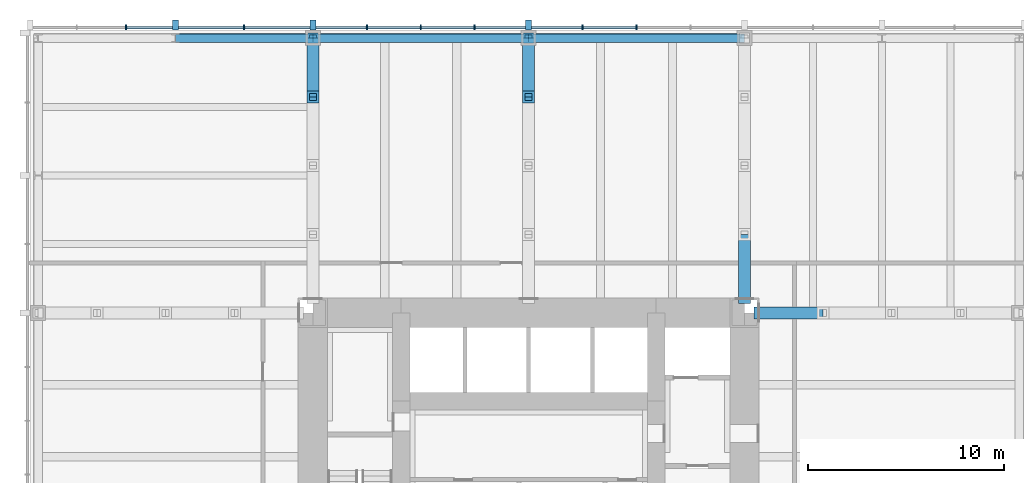
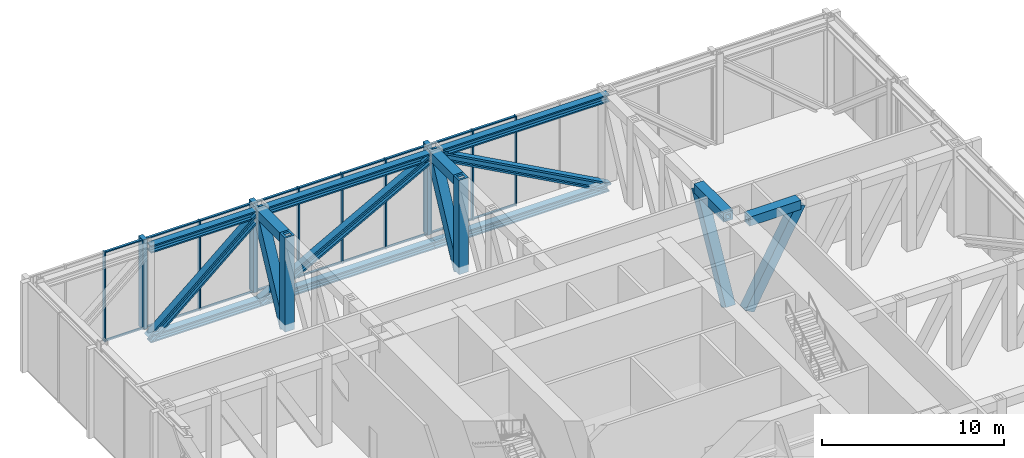
# One storey, part 8 of 13: 37 members, 10 beams, 1 element without a shape of its own.
"""IFC4 building model written with IfcOpenShell, lengths in metres."""

from ifc_helpers import new_model, si_unit, direction, frame, origin, origin_2d, place, context, subcontext, project, spatial, rectangle, hollow_rectangle, i_section, extrude, material, material_profile, profile_set, type_object, element, aggregate, save


model = new_model("IFC4")

# Units and contexts
model_context = context("Model", 3, precision=1e-05, world=origin(), true_north=direction((0.0, 1.0)))
body_context = subcontext(model_context, "Body", "Model", "MODEL_VIEW")
ifc_project = project(units=[si_unit("LENGTHUNIT", "METRE"), si_unit("AREAUNIT", "SQUARE_METRE"), si_unit("VOLUMEUNIT", "CUBIC_METRE"), si_unit("PLANEANGLEUNIT", "RADIAN"), si_unit("MASSUNIT", "GRAM", prefix="KILO")], contexts=[model_context])

# Site, building, storey
site_placement = place(None, origin())
site = spatial("IfcSite", under=ifc_project, at=site_placement, CompositionType="ELEMENT")
building_placement = place(site_placement, origin())
building = spatial("IfcBuilding", under=site, at=building_placement, Name="Trevanion Tower", CompositionType="ELEMENT")
storey_placement = place(building_placement, frame((0.0, 0.0, 89.800048828125)))
storey = spatial("IfcBuildingStorey", under=building, at=storey_placement, Name="L21", CompositionType="ELEMENT", Elevation=89.800048828125)

# Beams
ifc_material_1 = material(Name="Steel ASTM A992 Grade 50", Category="steel")
ifc_material_profile_1 = material_profile(ifc_material_1, i_section(OverallWidth=0.431884765625, OverallDepth=0.497802734375, WebThickness=0.0556640625, FlangeThickness=0.0888671875, at=origin_2d()), Name="W14X500")
ifc_profile_set_1 = profile_set([ifc_material_profile_1], Name="Steel ASTM A992 Grade 50")
beam_type_1 = type_object("IfcBeamType", Name="BT1-CH W14X500", PredefinedType="BEAM", material=ifc_profile_set_1)
for number, where, z_axis, x_axis, name in (
    (1, (11.0, 25.0, -0.494873046875), (-1.0, 0.0, 0.0), (0.0, -1.0, 0.0), "BT1 belt truss chord"),
    (2, (11.0, 25.0, 5.505126953125), (-1.0, 0.0, 0.0), (0.0, -1.0, 0.0), "BT1 belt truss chord"),
    (3, (0.0, 25.0, -0.494873046875), (-1.0, 0.0, 0.0), (0.0, -1.0, 0.0), "BT1 belt truss chord"),
    (4, (0.0, 25.0, 5.505126953125), (-1.0, 0.0, 0.0), (0.0, -1.0, 0.0), "BT1 belt truss chord"),
):
    element("IfcBeam", number, at=place(storey_placement, frame(where, z_axis=z_axis, x_axis=x_axis)), inside=storey, type_object=beam_type_1, Name=name, PredefinedType="BEAM", context=body_context, shape_type="SweptSolid", body=[
        extrude(i_section(OverallWidth=0.431884765625, OverallDepth=0.497802734375, WebThickness=0.0556640625, FlangeThickness=0.0888671875, at=origin_2d()), origin(), (0.0, 0.0, 1.0), 11.0),
    ])
for number, where, z_axis, x_axis, name in (
    (5, (-11.0, 25.0, -0.494873046875), (-1.0, 0.0, 0.0), (0.0, -1.0, 0.0), "BT1 belt truss chord"),
    (6, (-11.0, 25.0, 5.505126953125), (-1.0, 0.0, 0.0), (0.0, -1.0, 0.0), "BT1 belt truss chord"),
):
    element("IfcBeam", number, at=place(storey_placement, frame(where, z_axis=z_axis, x_axis=x_axis)), inside=storey, type_object=beam_type_1, Name=name, PredefinedType="BEAM", context=body_context, shape_type="SweptSolid", body=[
        extrude(i_section(OverallWidth=0.431884765625, OverallDepth=0.497802734375, WebThickness=0.0556640625, FlangeThickness=0.0888671875, at=origin_2d()), origin(), (0.0, 0.0, 1.0), 7.0),
    ])

# Members
ifc_material_2 = material(Name="Steel ASTM A992 Grade 50", Category="steel")
ifc_material_profile_2 = material_profile(ifc_material_2, i_section(OverallWidth=0.449462890625, OverallDepth=0.548583984375, WebThickness=0.07177734375, FlangeThickness=0.11474609375, at=origin_2d()), Name="W14X665")
ifc_profile_set_2 = profile_set([ifc_material_profile_2], Name="Steel ASTM A992 Grade 50")
member_type_1 = type_object("IfcMemberType", Name="BT1-D W14X665", PredefinedType="BRACE", material=ifc_profile_set_2)
for number, where, z_axis, x_axis, name in (
    (7, (11.0, 25.0, -0.494873046875), (-0.877895572914, 0.0, 0.478852130681), (0.0, -1.0, 0.0), "BT1 belt truss diagonal"),
    (8, (-11.0, 25.0, -0.494873046875), (0.877895572914, 0.0, 0.478852130681), (0.0, 1.0, 0.0), "BT1 belt truss diagonal"),
):
    element("IfcMember", number, at=place(storey_placement, frame(where, z_axis=z_axis, x_axis=x_axis)), inside=storey, type_object=member_type_1, Name=name, PredefinedType="BRACE", context=body_context, shape_type="SweptSolid", body=[
        extrude(i_section(OverallWidth=0.449462890625, OverallDepth=0.548583984375, WebThickness=0.07177734375, FlangeThickness=0.11474609375, at=origin_2d()), origin(), (0.0, 0.0, 1.0), 12.530029296875),
    ])
member_1_placement = place(storey_placement, frame((-18.0, 25.0, -0.494873046875), z_axis=(0.759256602365, 0.0, 0.650791373456), x_axis=(0.0, 1.0, 0.0)))
element("IfcMember", 9, at=member_1_placement, inside=storey, type_object=member_type_1, Name="BT1 belt truss diagonal", PredefinedType="BRACE", context=body_context, shape_type="SweptSolid", body=[
    extrude(i_section(OverallWidth=0.449462890625, OverallDepth=0.548583984375, WebThickness=0.07177734375, FlangeThickness=0.11474609375, at=origin_2d()), origin(), (0.0, 0.0, 1.0), 9.219482421875),
])

# Curtain wall, members
ifc_material_3 = material(Name="Aluminium louvres", Category="aluminium")
curtain_wall_type = type_object("IfcCurtainWallType", Name="CWL curtain wall", PredefinedType="USERDEFINED", material=ifc_material_3)
curtain_wall_placement = place(storey_placement, origin())
curtain_wall = element("IfcCurtainWall", 10, at=curtain_wall_placement, inside=storey, type_object=curtain_wall_type, Name="CWL L21 1", ObjectType="LOUVRE SCREEN", PredefinedType="USERDEFINED")
ifc_material_4 = material(Name="Aluminium extrusion, anodised bronze", Category="aluminium")
ifc_material_profile_3 = material_profile(ifc_material_4, rectangle(XDim=0.074951171875, YDim=0.25, at=origin_2d()), Name="CWL mullion")
ifc_profile_set_3 = profile_set([ifc_material_profile_3], Name="Aluminium extrusion, anodised bronze")
member_type_2 = type_object("IfcMemberType", Name="CWL mullion", PredefinedType="MULLION", material=ifc_profile_set_3)
member_2_placement = place(storey_placement, frame((5.5, 25.550048828125, -0.18994140625), z_axis=(0.0, 0.0, 1.0), x_axis=(-1.0, 0.0, 0.0)))
member_2 = element("IfcMember", 11, at=member_2_placement, type_object=member_type_2, Name="CWL mullion 7", PredefinedType="MULLION", context=body_context, shape_type="SweptSolid", body=[
    extrude(rectangle(XDim=0.074951171875, YDim=0.25, at=origin_2d()), origin(), (0.0, 0.0, 1.0), 6.0),
])
member_3_placement = place(storey_placement, frame((2.75, 25.550048828125, -0.18994140625), z_axis=(0.0, 0.0, 1.0), x_axis=(-1.0, 0.0, 0.0)))
member_3 = element("IfcMember", 12, at=member_3_placement, type_object=member_type_2, Name="CWL mullion 8", PredefinedType="MULLION", context=body_context, shape_type="SweptSolid", body=[
    extrude(rectangle(XDim=0.074951171875, YDim=0.25, at=origin_2d()), origin(), (0.0, 0.0, 1.0), 6.0),
])
member_4_placement = place(storey_placement, frame((-2.75, 25.550048828125, -0.18994140625), z_axis=(0.0, 0.0, 1.0), x_axis=(-1.0, 0.0, 0.0)))
member_4 = element("IfcMember", 13, at=member_4_placement, type_object=member_type_2, Name="CWL mullion 10", PredefinedType="MULLION", context=body_context, shape_type="SweptSolid", body=[
    extrude(rectangle(XDim=0.074951171875, YDim=0.25, at=origin_2d()), origin(), (0.0, 0.0, 1.0), 6.0),
])
member_5_placement = place(storey_placement, frame((-5.5, 25.550048828125, -0.18994140625), z_axis=(0.0, 0.0, 1.0), x_axis=(-1.0, 0.0, 0.0)))
member_5 = element("IfcMember", 14, at=member_5_placement, type_object=member_type_2, Name="CWL mullion 11", PredefinedType="MULLION", context=body_context, shape_type="SweptSolid", body=[
    extrude(rectangle(XDim=0.074951171875, YDim=0.25, at=origin_2d()), origin(), (0.0, 0.0, 1.0), 6.0),
])
member_6_placement = place(storey_placement, frame((-8.25, 25.550048828125, -0.18994140625), z_axis=(0.0, 0.0, 1.0), x_axis=(-1.0, 0.0, 0.0)))
member_6 = element("IfcMember", 15, at=member_6_placement, type_object=member_type_2, Name="CWL mullion 12", PredefinedType="MULLION", context=body_context, shape_type="SweptSolid", body=[
    extrude(rectangle(XDim=0.074951171875, YDim=0.25, at=origin_2d()), origin(), (0.0, 0.0, 1.0), 6.0),
])
member_7_placement = place(storey_placement, frame((-14.5, 25.550048828125, -0.18994140625), z_axis=(0.0, 0.0, 1.0), x_axis=(-1.0, 0.0, 0.0)))
member_7 = element("IfcMember", 16, at=member_7_placement, type_object=member_type_2, Name="CWL mullion 14", PredefinedType="MULLION", context=body_context, shape_type="SweptSolid", body=[
    extrude(rectangle(XDim=0.074951171875, YDim=0.25, at=origin_2d()), origin(), (0.0, 0.0, 1.0), 6.0),
])
member_8_placement = place(storey_placement, frame((-20.5166015625, 25.550048828125, -0.18994140625), z_axis=(0.0, 0.0, 1.0), x_axis=(-1.0, 0.0, 0.0)))
member_8 = element("IfcMember", 17, at=member_8_placement, type_object=member_type_2, Name="CWL mullion 16", PredefinedType="MULLION", context=body_context, shape_type="SweptSolid", body=[
    extrude(rectangle(XDim=0.074951171875, YDim=0.25, at=origin_2d()), origin(), (0.0, 0.0, 1.0), 6.0),
])
ifc_material_5 = material(Name="Aluminium extrusion, anodised bronze", Category="aluminium")
ifc_material_profile_4 = material_profile(ifc_material_5, rectangle(XDim=0.300048828125, YDim=0.5, at=origin_2d()), Name="CWL pier mullion")
ifc_profile_set_4 = profile_set([ifc_material_profile_4], Name="Aluminium extrusion, anodised bronze")
member_type_3 = type_object("IfcMemberType", Name="CWL pier mullion", PredefinedType="MULLION", material=ifc_profile_set_4)
member_9_placement = place(storey_placement, frame((0.0, 25.675048828125, -0.18994140625), z_axis=(0.0, 0.0, 1.0), x_axis=(-1.0, 0.0, 0.0)))
member_9 = element("IfcMember", 18, at=member_9_placement, type_object=member_type_3, Name="CWL pier mullion 9", PredefinedType="MULLION", context=body_context, shape_type="SweptSolid", body=[
    extrude(rectangle(XDim=0.300048828125, YDim=0.5, at=origin_2d()), origin(), (0.0, 0.0, 1.0), 6.0),
])
member_10_placement = place(storey_placement, frame((-11.0, 25.675048828125, -0.18994140625), z_axis=(0.0, 0.0, 1.0), x_axis=(-1.0, 0.0, 0.0)))
member_10 = element("IfcMember", 19, at=member_10_placement, type_object=member_type_3, Name="CWL pier mullion 13", PredefinedType="MULLION", context=body_context, shape_type="SweptSolid", body=[
    extrude(rectangle(XDim=0.300048828125, YDim=0.5, at=origin_2d()), origin(), (0.0, 0.0, 1.0), 6.0),
])
member_11_placement = place(storey_placement, frame((-18.0, 25.675048828125, -0.18994140625), z_axis=(0.0, 0.0, 1.0), x_axis=(-1.0, 0.0, 0.0)))
member_11 = element("IfcMember", 20, at=member_11_placement, type_object=member_type_3, Name="CWL pier mullion 15", PredefinedType="MULLION", context=body_context, shape_type="SweptSolid", body=[
    extrude(rectangle(XDim=0.300048828125, YDim=0.5, at=origin_2d()), origin(), (0.0, 0.0, 1.0), 6.0),
])
ifc_material_6 = material(Name="Aluminium extrusion, anodised bronze", Category="aluminium")
ifc_material_profile_5 = material_profile(ifc_material_6, rectangle(XDim=0.14990234375, YDim=0.074951171875, at=origin_2d()), Name="CWL transom")
ifc_profile_set_5 = profile_set([ifc_material_profile_5], Name="Aluminium extrusion, anodised bronze")
member_type_4 = type_object("IfcMemberType", Name="CWL transom", PredefinedType="USERDEFINED", material=ifc_profile_set_5)
member_12_placement = place(storey_placement, frame((5.46240234375, 25.550048828125, -0.152587890625), z_axis=(-1.0, 0.0, 0.0), x_axis=(0.0, -1.0, 0.0)))
member_12 = element("IfcMember", 21, at=member_12_placement, type_object=member_type_4, Name="CWL transom 7.1", ObjectType="TRANSOM", PredefinedType="USERDEFINED", context=body_context, shape_type="SweptSolid", body=[
    extrude(rectangle(XDim=0.14990234375, YDim=0.074951171875, at=origin_2d()), origin(), (0.0, 0.0, 1.0), 2.6748046875),
])
member_13_placement = place(storey_placement, frame((5.46240234375, 25.550048828125, 5.7724609375), z_axis=(-1.0, 0.0, 0.0), x_axis=(0.0, -1.0, 0.0)))
member_13 = element("IfcMember", 22, at=member_13_placement, type_object=member_type_4, Name="CWL transom 7.2", ObjectType="TRANSOM", PredefinedType="USERDEFINED", context=body_context, shape_type="SweptSolid", body=[
    extrude(rectangle(XDim=0.14990234375, YDim=0.074951171875, at=origin_2d()), origin(), (0.0, 0.0, 1.0), 2.6748046875),
])
member_14_placement = place(storey_placement, frame((2.71240234375, 25.550048828125, -0.152587890625), z_axis=(-1.0, 0.0, 0.0), x_axis=(0.0, -1.0, 0.0)))
member_14 = element("IfcMember", 23, at=member_14_placement, type_object=member_type_4, Name="CWL transom 8.1", ObjectType="TRANSOM", PredefinedType="USERDEFINED", context=body_context, shape_type="SweptSolid", body=[
    extrude(rectangle(XDim=0.14990234375, YDim=0.074951171875, at=origin_2d()), origin(), (0.0, 0.0, 1.0), 2.5625),
])
member_15_placement = place(storey_placement, frame((2.71240234375, 25.550048828125, 5.7724609375), z_axis=(-1.0, 0.0, 0.0), x_axis=(0.0, -1.0, 0.0)))
member_15 = element("IfcMember", 24, at=member_15_placement, type_object=member_type_4, Name="CWL transom 8.2", ObjectType="TRANSOM", PredefinedType="USERDEFINED", context=body_context, shape_type="SweptSolid", body=[
    extrude(rectangle(XDim=0.14990234375, YDim=0.074951171875, at=origin_2d()), origin(), (0.0, 0.0, 1.0), 2.5625),
])
member_16_placement = place(storey_placement, frame((-0.14990234375, 25.550048828125, -0.152587890625), z_axis=(-1.0, 0.0, 0.0), x_axis=(0.0, -1.0, 0.0)))
member_16 = element("IfcMember", 25, at=member_16_placement, type_object=member_type_4, Name="CWL transom 9.1", ObjectType="TRANSOM", PredefinedType="USERDEFINED", context=body_context, shape_type="SweptSolid", body=[
    extrude(rectangle(XDim=0.14990234375, YDim=0.074951171875, at=origin_2d()), origin(), (0.0, 0.0, 1.0), 2.5625),
])
member_17_placement = place(storey_placement, frame((-0.14990234375, 25.550048828125, 5.7724609375), z_axis=(-1.0, 0.0, 0.0), x_axis=(0.0, -1.0, 0.0)))
member_17 = element("IfcMember", 26, at=member_17_placement, type_object=member_type_4, Name="CWL transom 9.2", ObjectType="TRANSOM", PredefinedType="USERDEFINED", context=body_context, shape_type="SweptSolid", body=[
    extrude(rectangle(XDim=0.14990234375, YDim=0.074951171875, at=origin_2d()), origin(), (0.0, 0.0, 1.0), 2.5625),
])
member_18_placement = place(storey_placement, frame((-2.78759765625, 25.550048828125, -0.152587890625), z_axis=(-1.0, 0.0, 0.0), x_axis=(0.0, -1.0, 0.0)))
member_18 = element("IfcMember", 27, at=member_18_placement, type_object=member_type_4, Name="CWL transom 10.1", ObjectType="TRANSOM", PredefinedType="USERDEFINED", context=body_context, shape_type="SweptSolid", body=[
    extrude(rectangle(XDim=0.14990234375, YDim=0.074951171875, at=origin_2d()), origin(), (0.0, 0.0, 1.0), 2.6748046875),
])
member_19_placement = place(storey_placement, frame((-2.78759765625, 25.550048828125, 5.7724609375), z_axis=(-1.0, 0.0, 0.0), x_axis=(0.0, -1.0, 0.0)))
member_19 = element("IfcMember", 28, at=member_19_placement, type_object=member_type_4, Name="CWL transom 10.2", ObjectType="TRANSOM", PredefinedType="USERDEFINED", context=body_context, shape_type="SweptSolid", body=[
    extrude(rectangle(XDim=0.14990234375, YDim=0.074951171875, at=origin_2d()), origin(), (0.0, 0.0, 1.0), 2.6748046875),
])
member_20_placement = place(storey_placement, frame((-5.53759765625, 25.550048828125, -0.152587890625), z_axis=(-1.0, 0.0, 0.0), x_axis=(0.0, -1.0, 0.0)))
member_20 = element("IfcMember", 29, at=member_20_placement, type_object=member_type_4, Name="CWL transom 11.1", ObjectType="TRANSOM", PredefinedType="USERDEFINED", context=body_context, shape_type="SweptSolid", body=[
    extrude(rectangle(XDim=0.14990234375, YDim=0.074951171875, at=origin_2d()), origin(), (0.0, 0.0, 1.0), 2.6748046875),
])
member_21_placement = place(storey_placement, frame((-5.53759765625, 25.550048828125, 5.7724609375), z_axis=(-1.0, 0.0, 0.0), x_axis=(0.0, -1.0, 0.0)))
member_21 = element("IfcMember", 30, at=member_21_placement, type_object=member_type_4, Name="CWL transom 11.2", ObjectType="TRANSOM", PredefinedType="USERDEFINED", context=body_context, shape_type="SweptSolid", body=[
    extrude(rectangle(XDim=0.14990234375, YDim=0.074951171875, at=origin_2d()), origin(), (0.0, 0.0, 1.0), 2.6748046875),
])
member_22_placement = place(storey_placement, frame((-8.28759765625, 25.550048828125, -0.152587890625), z_axis=(-1.0, 0.0, 0.0), x_axis=(0.0, -1.0, 0.0)))
member_22 = element("IfcMember", 31, at=member_22_placement, type_object=member_type_4, Name="CWL transom 12.1", ObjectType="TRANSOM", PredefinedType="USERDEFINED", context=body_context, shape_type="SweptSolid", body=[
    extrude(rectangle(XDim=0.14990234375, YDim=0.074951171875, at=origin_2d()), origin(), (0.0, 0.0, 1.0), 2.5625),
])
member_23_placement = place(storey_placement, frame((-8.28759765625, 25.550048828125, 5.7724609375), z_axis=(-1.0, 0.0, 0.0), x_axis=(0.0, -1.0, 0.0)))
member_23 = element("IfcMember", 32, at=member_23_placement, type_object=member_type_4, Name="CWL transom 12.2", ObjectType="TRANSOM", PredefinedType="USERDEFINED", context=body_context, shape_type="SweptSolid", body=[
    extrude(rectangle(XDim=0.14990234375, YDim=0.074951171875, at=origin_2d()), origin(), (0.0, 0.0, 1.0), 2.5625),
])
member_24_placement = place(storey_placement, frame((-11.14990234375, 25.550048828125, -0.152587890625), z_axis=(-1.0, 0.0, 0.0), x_axis=(0.0, -1.0, 0.0)))
member_24 = element("IfcMember", 33, at=member_24_placement, type_object=member_type_4, Name="CWL transom 13.1", ObjectType="TRANSOM", PredefinedType="USERDEFINED", context=body_context, shape_type="SweptSolid", body=[
    extrude(rectangle(XDim=0.14990234375, YDim=0.074951171875, at=origin_2d()), origin(), (0.0, 0.0, 1.0), 3.3125),
])
member_25_placement = place(storey_placement, frame((-11.14990234375, 25.550048828125, 5.7724609375), z_axis=(-1.0, 0.0, 0.0), x_axis=(0.0, -1.0, 0.0)))
member_25 = element("IfcMember", 34, at=member_25_placement, type_object=member_type_4, Name="CWL transom 13.2", ObjectType="TRANSOM", PredefinedType="USERDEFINED", context=body_context, shape_type="SweptSolid", body=[
    extrude(rectangle(XDim=0.14990234375, YDim=0.074951171875, at=origin_2d()), origin(), (0.0, 0.0, 1.0), 3.3125),
])
member_26_placement = place(storey_placement, frame((-14.53759765625, 25.550048828125, -0.152587890625), z_axis=(-1.0, 0.0, 0.0), x_axis=(0.0, -1.0, 0.0)))
member_26 = element("IfcMember", 35, at=member_26_placement, type_object=member_type_4, Name="CWL transom 14.1", ObjectType="TRANSOM", PredefinedType="USERDEFINED", context=body_context, shape_type="SweptSolid", body=[
    extrude(rectangle(XDim=0.14990234375, YDim=0.074951171875, at=origin_2d()), origin(), (0.0, 0.0, 1.0), 3.3125),
])
member_27_placement = place(storey_placement, frame((-14.53759765625, 25.550048828125, 5.7724609375), z_axis=(-1.0, 0.0, 0.0), x_axis=(0.0, -1.0, 0.0)))
member_27 = element("IfcMember", 36, at=member_27_placement, type_object=member_type_4, Name="CWL transom 14.2", ObjectType="TRANSOM", PredefinedType="USERDEFINED", context=body_context, shape_type="SweptSolid", body=[
    extrude(rectangle(XDim=0.14990234375, YDim=0.074951171875, at=origin_2d()), origin(), (0.0, 0.0, 1.0), 3.3125),
])
member_28_placement = place(storey_placement, frame((-18.14990234375, 25.550048828125, -0.152587890625), z_axis=(-1.0, 0.0, 0.0), x_axis=(0.0, -1.0, 0.0)))
member_28 = element("IfcMember", 37, at=member_28_placement, type_object=member_type_4, Name="CWL transom 15.1", ObjectType="TRANSOM", PredefinedType="USERDEFINED", context=body_context, shape_type="SweptSolid", body=[
    extrude(rectangle(XDim=0.14990234375, YDim=0.074951171875, at=origin_2d()), origin(), (0.0, 0.0, 1.0), 2.329345703125),
])
member_29_placement = place(storey_placement, frame((-18.14990234375, 25.550048828125, 5.7724609375), z_axis=(-1.0, 0.0, 0.0), x_axis=(0.0, -1.0, 0.0)))
member_29 = element("IfcMember", 38, at=member_29_placement, type_object=member_type_4, Name="CWL transom 15.2", ObjectType="TRANSOM", PredefinedType="USERDEFINED", context=body_context, shape_type="SweptSolid", body=[
    extrude(rectangle(XDim=0.14990234375, YDim=0.074951171875, at=origin_2d()), origin(), (0.0, 0.0, 1.0), 2.329345703125),
])
aggregate(curtain_wall, [member_2, member_3, member_9, member_4, member_5, member_6, member_10, member_7, member_11, member_8, member_12, member_13, member_14, member_15, member_16, member_17, member_18, member_19, member_20, member_21, member_22, member_23, member_24, member_25, member_26, member_27, member_28, member_29])

# Beams
ifc_material_7 = material(Name="Steel ASTM A588 Grade 50", Category="steel")
ifc_material_profile_6 = material_profile(ifc_material_7, hollow_rectangle(XDim=0.609619140625, YDim=0.609619140625, WallThickness=0.15234375, at=origin_2d()), Name="BOX24X24X6")
ifc_profile_set_6 = profile_set([ifc_material_profile_6], Name="Steel ASTM A588 Grade 50")
beam_type_2 = type_object("IfcBeamType", Name="OT1-CH BOX24X24X6", PredefinedType="BEAM", material=ifc_profile_set_6)
beam_1_placement = place(storey_placement, frame((11.0, 11.75, 5.505126953125), z_axis=(0.0, 1.0, 0.0), x_axis=(-1.0, 0.0, 0.0)))
element("IfcBeam", 39, at=beam_1_placement, inside=storey, type_object=beam_type_2, Name="OT1 12/Q outrigger and transfer truss chord", PredefinedType="BEAM", context=body_context, shape_type="SweptSolid", body=[
    extrude(hollow_rectangle(XDim=0.609619140625, YDim=0.609619140625, WallThickness=0.15234375, at=origin_2d()), origin(), (0.0, 0.0, 1.0), 3.25),
])
beam_2_placement = place(storey_placement, frame((0.0, 22.0, 5.505126953125), z_axis=(0.0, 1.0, 0.0), x_axis=(-1.0, 0.0, 0.0)))
element("IfcBeam", 40, at=beam_2_placement, inside=storey, type_object=beam_type_2, Name="OT1 10/Q outrigger and transfer truss chord", PredefinedType="BEAM", context=body_context, shape_type="SweptSolid", body=[
    extrude(hollow_rectangle(XDim=0.609619140625, YDim=0.609619140625, WallThickness=0.15234375, at=origin_2d()), origin(), (0.0, 0.0, 1.0), 3.0),
])
beam_3_placement = place(storey_placement, frame((11.75, 11.0, 5.505126953125), z_axis=(1.0, 0.0, 0.0), x_axis=(0.0, 1.0, 0.0)))
element("IfcBeam", 41, at=beam_3_placement, inside=storey, type_object=beam_type_2, Name="OT1 17/K outrigger and transfer truss chord", PredefinedType="BEAM", context=body_context, shape_type="SweptSolid", body=[
    extrude(hollow_rectangle(XDim=0.609619140625, YDim=0.609619140625, WallThickness=0.15234375, at=origin_2d()), origin(), (0.0, 0.0, 1.0), 3.25),
])
beam_4_placement = place(storey_placement, frame((-11.0, 22.0, 5.505126953125), z_axis=(0.0, 1.0, 0.0), x_axis=(-1.0, 0.0, 0.0)))
element("IfcBeam", 42, at=beam_4_placement, inside=storey, type_object=beam_type_2, Name="OT1 8/Q outrigger and transfer truss chord", PredefinedType="BEAM", context=body_context, shape_type="SweptSolid", body=[
    extrude(hollow_rectangle(XDim=0.609619140625, YDim=0.609619140625, WallThickness=0.15234375, at=origin_2d()), origin(), (0.0, 0.0, 1.0), 3.0),
])

# Members
ifc_material_8 = material(Name="Steel ASTM A588 Grade 50", Category="steel")
ifc_material_profile_7 = material_profile(ifc_material_8, hollow_rectangle(XDim=0.609619140625, YDim=0.609619140625, WallThickness=0.126953125, at=origin_2d()), Name="BOX24X24X5")
ifc_profile_set_7 = profile_set([ifc_material_profile_7], Name="Steel ASTM A588 Grade 50")
member_type_5 = type_object("IfcMemberType", Name="OT1-D BOX24X24X5", PredefinedType="BRACE", material=ifc_profile_set_7)
member_30_placement = place(storey_placement, frame((11.0, 11.75, -0.494873046875), z_axis=(0.0, 0.476283148541, 0.879291966537), x_axis=(-1.0, 0.0, 0.0)))
element("IfcMember", 43, at=member_30_placement, inside=storey, type_object=member_type_5, Name="OT1 12/Q outrigger and transfer truss diagonal", PredefinedType="BRACE", context=body_context, shape_type="SweptSolid", body=[
    extrude(hollow_rectangle(XDim=0.609619140625, YDim=0.609619140625, WallThickness=0.126953125, at=origin_2d()), origin(), (0.0, 0.0, 1.0), 6.82373046875),
])
member_31_placement = place(storey_placement, frame((0.0, 22.0, -0.494873046875), z_axis=(0.0, 0.4472135955, 0.894427191), x_axis=(-1.0, 0.0, 0.0)))
element("IfcMember", 44, at=member_31_placement, inside=storey, type_object=member_type_5, Name="OT1 10/Q outrigger and transfer truss diagonal", PredefinedType="BRACE", context=body_context, shape_type="SweptSolid", body=[
    extrude(hollow_rectangle(XDim=0.609619140625, YDim=0.609619140625, WallThickness=0.126953125, at=origin_2d()), origin(), (0.0, 0.0, 1.0), 6.708251953125),
])
member_32_placement = place(storey_placement, frame((11.75, 11.0, -0.494873046875), z_axis=(0.476283148541, 0.0, 0.879291966537), x_axis=(0.0, 1.0, 0.0)))
element("IfcMember", 45, at=member_32_placement, inside=storey, type_object=member_type_5, Name="OT1 17/K outrigger and transfer truss diagonal", PredefinedType="BRACE", context=body_context, shape_type="SweptSolid", body=[
    extrude(hollow_rectangle(XDim=0.609619140625, YDim=0.609619140625, WallThickness=0.126953125, at=origin_2d()), origin(), (0.0, 0.0, 1.0), 6.82373046875),
])
member_33_placement = place(storey_placement, frame((-11.0, 22.0, -0.494873046875), z_axis=(0.0, 0.4472135955, 0.894427191), x_axis=(-1.0, 0.0, 0.0)))
element("IfcMember", 46, at=member_33_placement, inside=storey, type_object=member_type_5, Name="OT1 8/Q outrigger and transfer truss diagonal", PredefinedType="BRACE", context=body_context, shape_type="SweptSolid", body=[
    extrude(hollow_rectangle(XDim=0.609619140625, YDim=0.609619140625, WallThickness=0.126953125, at=origin_2d()), origin(), (0.0, 0.0, 1.0), 6.708251953125),
])
ifc_material_9 = material(Name="Steel ASTM A588 Grade 50", Category="steel")
ifc_material_profile_8 = material_profile(ifc_material_9, hollow_rectangle(XDim=0.609619140625, YDim=0.609619140625, WallThickness=0.126953125, at=origin_2d()), Name="BOX24X24X5")
ifc_profile_set_8 = profile_set([ifc_material_profile_8], Name="Steel ASTM A588 Grade 50")
member_type_6 = type_object("IfcMemberType", Name="OT1-V BOX24X24X5", PredefinedType="POST", material=ifc_profile_set_8)
for number, where, z_axis, x_axis, name in (
    (47, (0.0, 22.0, -0.494873046875), (0.0, 0.0, 1.0), (1.0, 0.0, 0.0), "OT1 10/Q outrigger and transfer truss vertical"),
    (48, (-11.0, 22.0, -0.494873046875), (0.0, 0.0, 1.0), (1.0, 0.0, 0.0), "OT1 8/Q outrigger and transfer truss vertical"),
):
    element("IfcMember", number, at=place(storey_placement, frame(where, z_axis=z_axis, x_axis=x_axis)), inside=storey, type_object=member_type_6, Name=name, PredefinedType="POST", context=body_context, shape_type="SweptSolid", body=[
        extrude(hollow_rectangle(XDim=0.609619140625, YDim=0.609619140625, WallThickness=0.126953125, at=origin_2d()), origin(), (0.0, 0.0, 1.0), 6.304931640625),
    ])

save(model, "model.ifc")
